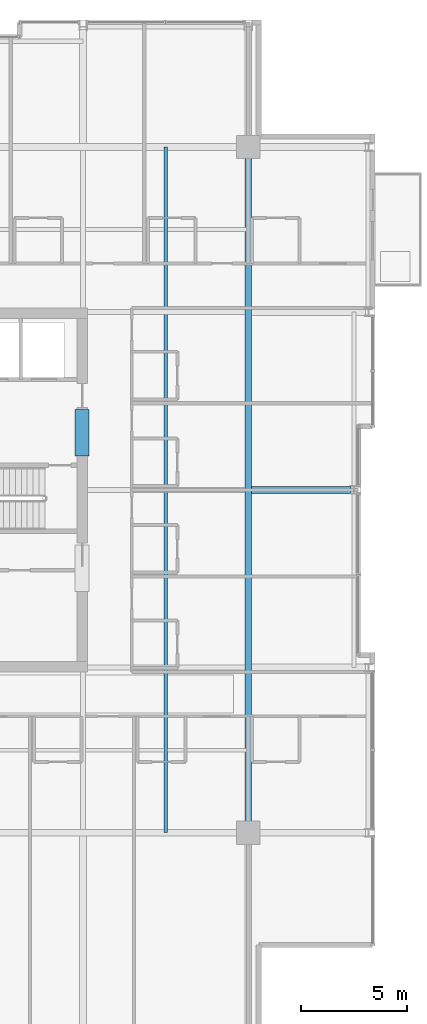
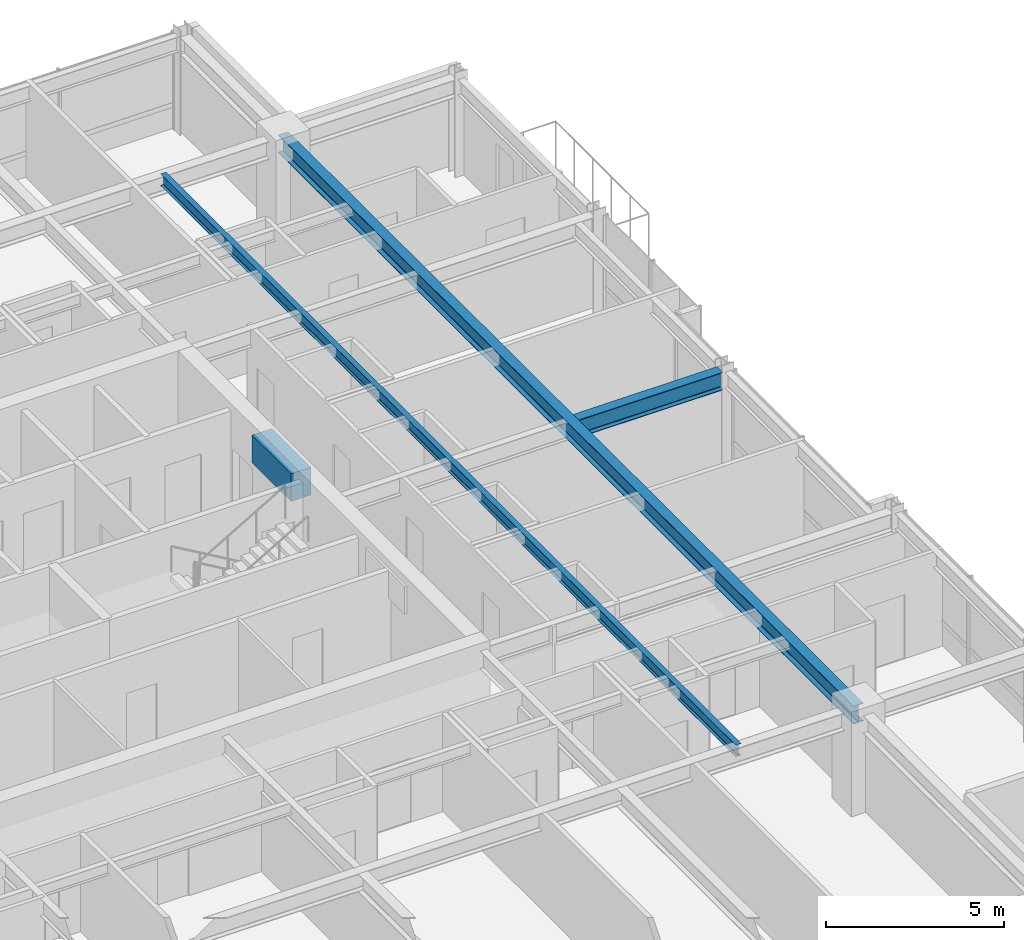
# One storey, part 14 of 32: 4 beams.
"""IFC4 building model written with IfcOpenShell, lengths in metres."""

from ifc_helpers import new_model, si_unit, direction, frame, origin, origin_2d, place, context, subcontext, project, spatial, rectangle, i_section, extrude, material, material_profile, profile_set, type_object, element, save


model = new_model("IFC4")

# Units and contexts
model_context = context("Model", 3, precision=1e-05, world=origin(), true_north=direction((0.0, 1.0)))
body_context = subcontext(model_context, "Body", "Model", "MODEL_VIEW")
ifc_project = project(units=[si_unit("LENGTHUNIT", "METRE"), si_unit("AREAUNIT", "SQUARE_METRE"), si_unit("VOLUMEUNIT", "CUBIC_METRE"), si_unit("PLANEANGLEUNIT", "RADIAN"), si_unit("MASSUNIT", "GRAM", prefix="KILO")], contexts=[model_context])

# Site, building, storey
site_placement = place(None, origin())
site = spatial("IfcSite", under=ifc_project, at=site_placement, CompositionType="ELEMENT")
building_placement = place(site_placement, origin())
building = spatial("IfcBuilding", under=site, at=building_placement, Name="Drelvath Grand Hotel", CompositionType="ELEMENT")
storey_placement = place(building_placement, frame((0.0, 0.0, 205.10009765625)))
storey = spatial("IfcBuildingStorey", under=building, at=storey_placement, Name="L53", CompositionType="ELEMENT", Elevation=205.10009765625)

# Beams
ifc_material_1 = material(Name="Steel ASTM A992 Gr 50", Category="steel")
ifc_material_profile_1 = material_profile(ifc_material_1, i_section(OverallWidth=0.177734375, OverallDepth=0.40673828125, WebThickness=0.0078125, FlangeThickness=0.0126953125, FilletRadius=0.014892578125, at=origin_2d()), Name="W16X40")
ifc_profile_set_1 = profile_set([ifc_material_profile_1], Name="Steel ASTM A992 Gr 50")
beam_type_1 = type_object("IfcBeamType", Name="Composite Floor Joist W16X40", PredefinedType="JOIST", material=ifc_profile_set_1)
beam_1_placement = place(storey_placement, frame((12.300048828125, 10.800048828125, 3.136474609375), z_axis=(0.0, 1.0, 0.0), x_axis=(-1.0, 0.0, 0.0)))
element("IfcBeam", 1, at=beam_1_placement, inside=storey, type_object=beam_type_1, Name="L53 Wing Floor Joist J4", PredefinedType="JOIST", context=body_context, shape_type="SweptSolid", body=[
    extrude(i_section(OverallWidth=0.177734375, OverallDepth=0.40673828125, WebThickness=0.0078125, FlangeThickness=0.0126953125, FilletRadius=0.014892578125, at=origin_2d()), origin(), (0.0, 0.0, 1.0), 32.39990234375),
])
ifc_material_2 = material(Name="Concrete f'c 55 MPa", Category="concrete")
ifc_material_profile_2 = material_profile(ifc_material_2, rectangle(XDim=0.64990234375, YDim=0.949951171875, at=origin_2d()), Name="CB650X950")
ifc_profile_set_2 = profile_set([ifc_material_profile_2], Name="Concrete f'c 55 MPa")
beam_type_2 = type_object("IfcBeamType", Name="Core Coupling Lintel CB650X950", PredefinedType="LINTEL", material=ifc_profile_set_2)
beam_2_placement = place(storey_placement, frame((8.35009765625, 28.60009765625, 2.864990234375), z_axis=(0.0, 1.0, 0.0), x_axis=(-1.0, 0.0, 0.0)))
element("IfcBeam", 2, at=beam_2_placement, inside=storey, type_object=beam_type_2, Name="L53 Core Coupling Lintel EN", PredefinedType="LINTEL", context=body_context, shape_type="SweptSolid", body=[
    extrude(rectangle(XDim=0.64990234375, YDim=0.949951171875, at=origin_2d()), origin(), (0.0, 0.0, 1.0), 2.199951171875),
])
ifc_material_profile_3 = material_profile(ifc_material_1, i_section(OverallWidth=0.323974609375, OverallDepth=0.611083984375, WebThickness=0.0126953125, FlangeThickness=0.01904296875, FilletRadius=0.02197265625, at=origin_2d()), Name="W24X104")
ifc_profile_set_3 = profile_set([ifc_material_profile_3], Name="Steel ASTM A992 Gr 50")
beam_type_3 = type_object("IfcBeamType", Name="Primary Floor Girder W24X104", PredefinedType="BEAM", material=ifc_profile_set_3)
beam_3_placement = place(storey_placement, frame((16.199951171875, 10.800048828125, 3.034423828125), z_axis=(0.0, 1.0, 0.0), x_axis=(-1.0, 0.0, 0.0)))
element("IfcBeam", 3, at=beam_3_placement, inside=storey, type_object=beam_type_3, Name="L53 Mega Ring Girder East", PredefinedType="BEAM", context=body_context, shape_type="SweptSolid", body=[
    extrude(i_section(OverallWidth=0.323974609375, OverallDepth=0.611083984375, WebThickness=0.0126953125, FlangeThickness=0.01904296875, FilletRadius=0.02197265625, at=origin_2d()), origin(), (0.0, 0.0, 1.0), 32.39990234375),
])
beam_4_placement = place(storey_placement, frame((16.362060546875, 27.0, 3.034423828125), z_axis=(1.0, 0.0, 0.0), x_axis=(0.0, 1.0, 0.0)))
element("IfcBeam", 4, at=beam_4_placement, inside=storey, type_object=beam_type_3, Name="L53 East Wing Girder E", PredefinedType="BEAM", context=body_context, shape_type="SweptSolid", body=[
    extrude(i_section(OverallWidth=0.323974609375, OverallDepth=0.611083984375, WebThickness=0.0126953125, FlangeThickness=0.01904296875, FilletRadius=0.02197265625, at=origin_2d()), origin(), (0.0, 0.0, 1.0), 4.697998046875),
])

save(model, "model.ifc")
